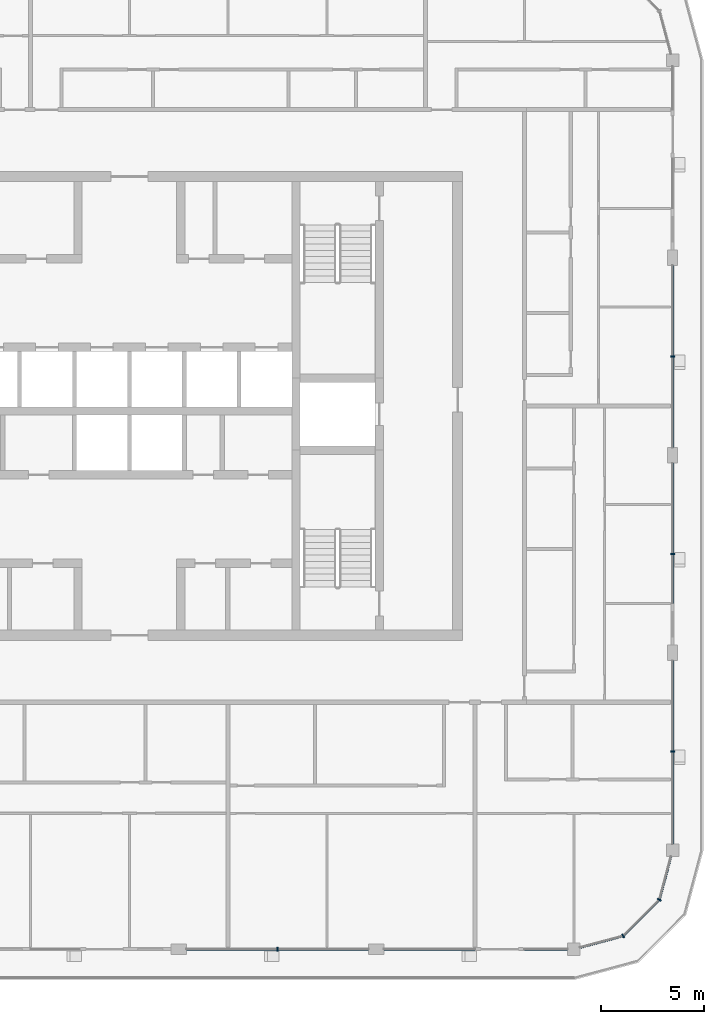
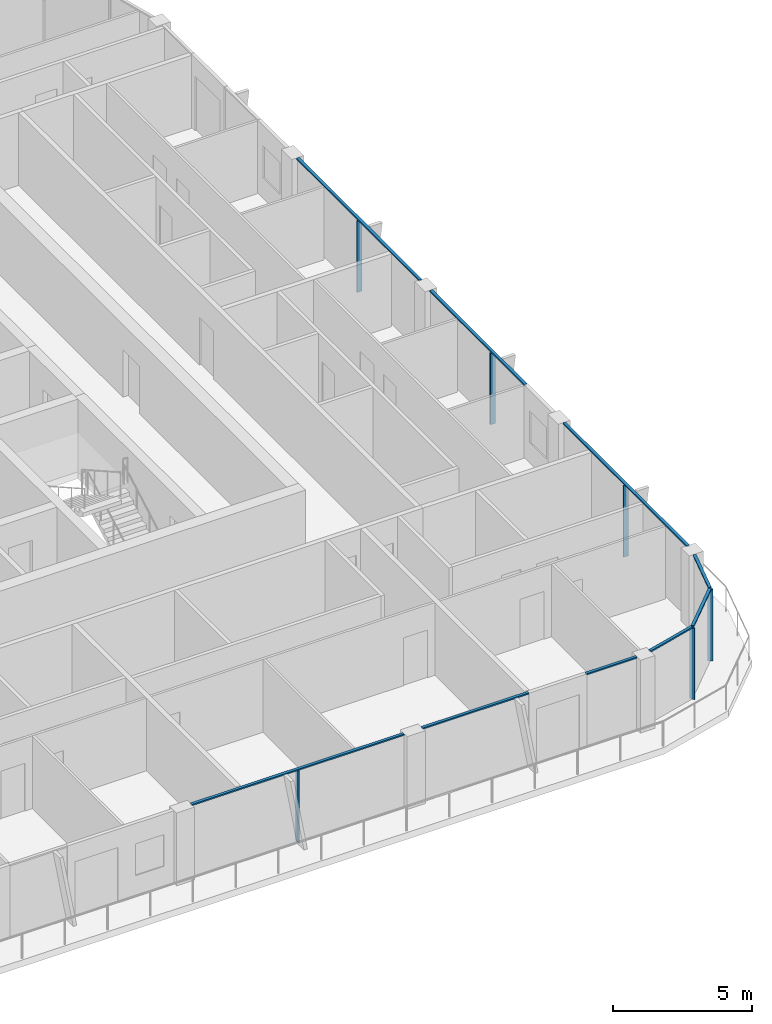
# One storey, part 4 of 22: 15 members, 6 elements without a shape of their own.
"""IFC4 building model written with IfcOpenShell, lengths in metres."""

from ifc_helpers import new_model, si_unit, direction, frame, origin, origin_2d, place, context, subcontext, project, spatial, rectangle, extrude, material, layer, layer_set, material_profile, profile_set, type_object, element, aggregate, save


model = new_model("IFC4")

# Units and contexts
model_context = context("Model", 3, precision=1e-05, world=origin(), true_north=direction((0.0, 1.0)))
body_context = subcontext(model_context, "Body", "Model", "MODEL_VIEW")
ifc_project = project(units=[si_unit("LENGTHUNIT", "METRE"), si_unit("AREAUNIT", "SQUARE_METRE"), si_unit("VOLUMEUNIT", "CUBIC_METRE"), si_unit("PLANEANGLEUNIT", "RADIAN"), si_unit("MASSUNIT", "GRAM", prefix="KILO")], contexts=[model_context])

# Site, building, storey
site_placement = place(None, origin())
site = spatial("IfcSite", under=ifc_project, at=site_placement, CompositionType="ELEMENT")
building_placement = place(site_placement, origin())
building = spatial("IfcBuilding", under=site, at=building_placement, Name="Madar Terraces", CompositionType="ELEMENT")
storey_placement = place(building_placement, frame((0.0, 0.0, 279.10009765625)))
storey = spatial("IfcBuildingStorey", under=building, at=storey_placement, Name="L73", CompositionType="ELEMENT", Elevation=279.10009765625)

# Curtain wall, member
ifc_material_1 = material(Name="Glass, ceramic frit dark grey, with black aluminium frame", Category="aluminium")
ifc_layer = layer(ifc_material_1, 0.199951171875)
ifc_layer_set = layer_set([ifc_layer], Name="Facade curtain wall, fritted glass")
curtain_wall_type = type_object("IfcCurtainWallType", Name="Facade curtain wall, fritted glass", PredefinedType="NOTDEFINED", material=ifc_layer_set)
curtain_wall_1_placement = place(storey_placement, origin())
curtain_wall_1 = element("IfcCurtainWall", 1, at=curtain_wall_1_placement, inside=storey, type_object=curtain_wall_type, Name="Outer skin curtain wall south bay 4", PredefinedType="NOTDEFINED")
ifc_material_2 = material(Name="Aluminium, black anodised", Category="aluminium")
ifc_material_profile_1 = material_profile(ifc_material_2, rectangle(XDim=0.199951171875, YDim=0.06005859375, at=origin_2d()), Name="Facade mullion 60x200")
ifc_profile_set_1 = profile_set([ifc_material_profile_1], Name="Aluminium, black anodised")
member_type_1 = type_object("IfcMemberType", Name="Facade mullion 60x200", PredefinedType="MULLION", material=ifc_profile_set_1)
member_1_placement = place(storey_placement, frame((38.39990234375, 0.0, 0.0), z_axis=(0.0, 0.0, 1.0), x_axis=(0.0, 1.0, 0.0)))
member_1 = element("IfcMember", 2, at=member_1_placement, type_object=member_type_1, Name="Mullion 1", PredefinedType="MULLION", context=body_context, shape_type="SweptSolid", body=[
    extrude(rectangle(XDim=0.199951171875, YDim=0.06005859375, at=origin_2d()), origin(), (0.0, 0.0, 1.0), 3.139892578125),
])

curtain_wall_2_placement = place(storey_placement, origin())
curtain_wall_2 = element("IfcCurtainWall", 3, at=curtain_wall_2_placement, inside=storey, type_object=curtain_wall_type, Name="Outer skin curtain wall east bay 1", PredefinedType="NOTDEFINED")
member_2_placement = place(storey_placement, frame((57.60009765625, 9.60009765625, 0.0), z_axis=(0.0, 0.0, 1.0), x_axis=(-1.0, 0.0, 0.0)))
member_2 = element("IfcMember", 4, at=member_2_placement, type_object=member_type_1, Name="Mullion 1", PredefinedType="MULLION", context=body_context, shape_type="SweptSolid", body=[
    extrude(rectangle(XDim=0.199951171875, YDim=0.06005859375, at=origin_2d()), origin(), (0.0, 0.0, 1.0), 3.139892578125),
])

curtain_wall_3_placement = place(storey_placement, origin())
curtain_wall_3 = element("IfcCurtainWall", 5, at=curtain_wall_3_placement, inside=storey, type_object=curtain_wall_type, Name="Outer skin curtain wall east bay 2", PredefinedType="NOTDEFINED")
member_3_placement = place(storey_placement, frame((57.60009765625, 19.199951171875, 0.0), z_axis=(0.0, 0.0, 1.0), x_axis=(-1.0, 0.0, 0.0)))
member_3 = element("IfcMember", 6, at=member_3_placement, type_object=member_type_1, Name="Mullion 1", PredefinedType="MULLION", context=body_context, shape_type="SweptSolid", body=[
    extrude(rectangle(XDim=0.199951171875, YDim=0.06005859375, at=origin_2d()), origin(), (0.0, 0.0, 1.0), 3.139892578125),
])

curtain_wall_4_placement = place(storey_placement, origin())
curtain_wall_4 = element("IfcCurtainWall", 7, at=curtain_wall_4_placement, inside=storey, type_object=curtain_wall_type, Name="Outer skin curtain wall east bay 3", PredefinedType="NOTDEFINED")
member_4_placement = place(storey_placement, frame((57.60009765625, 28.800048828125, 0.0), z_axis=(0.0, 0.0, 1.0), x_axis=(-1.0, 0.0, 0.0)))
member_4 = element("IfcMember", 8, at=member_4_placement, type_object=member_type_1, Name="Mullion 1", PredefinedType="MULLION", context=body_context, shape_type="SweptSolid", body=[
    extrude(rectangle(XDim=0.199951171875, YDim=0.06005859375, at=origin_2d()), origin(), (0.0, 0.0, 1.0), 3.139892578125),
])

# Curtain wall, members
curtain_wall_5_placement = place(storey_placement, origin())
curtain_wall_5 = element("IfcCurtainWall", 9, at=curtain_wall_5_placement, inside=storey, type_object=curtain_wall_type, Name="Outer skin curtain wall south-east corner", PredefinedType="NOTDEFINED")
member_5_placement = place(storey_placement, frame((55.199951171875, 0.64306640625, 0.0), z_axis=(0.0, 0.0, 1.0), x_axis=(-0.499999989586, 0.866025409797, 0.0)))
member_5 = element("IfcMember", 10, at=member_5_placement, type_object=member_type_1, Name="Mullion 1", PredefinedType="MULLION", context=body_context, shape_type="SweptSolid", body=[
    extrude(rectangle(XDim=0.199951171875, YDim=0.06005859375, at=origin_2d()), origin(), (0.0, 0.0, 1.0), 3.139892578125),
])
member_6_placement = place(storey_placement, frame((56.95703125, 2.39990234375, 0.0), z_axis=(0.0, 0.0, 1.0), x_axis=(-0.866025409797, 0.499999989586, 0.0)))
member_6 = element("IfcMember", 11, at=member_6_placement, type_object=member_type_1, Name="Mullion 2", PredefinedType="MULLION", context=body_context, shape_type="SweptSolid", body=[
    extrude(rectangle(XDim=0.199951171875, YDim=0.06005859375, at=origin_2d()), origin(), (0.0, 0.0, 1.0), 3.139892578125),
])

# Member
ifc_material_3 = material(Name="Aluminium, black anodised", Category="aluminium")
ifc_material_profile_2 = material_profile(ifc_material_3, rectangle(XDim=0.1201171875, YDim=0.06005859375, at=origin_2d()), Name="Facade transom 60x120")
ifc_profile_set_2 = profile_set([ifc_material_profile_2], Name="Aluminium, black anodised")
member_type_2 = type_object("IfcMemberType", Name="Facade transom 60x120", PredefinedType="USERDEFINED", material=ifc_profile_set_2)
member_7_placement = place(storey_placement, frame((33.97509765625, 0.0, 3.169921875), z_axis=(1.0, 0.0, 0.0), x_axis=(0.0, 1.0, 0.0)))
member_7 = element("IfcMember", 12, at=member_7_placement, type_object=member_type_2, Name="Transom 1", ObjectType="TRANSOM", PredefinedType="USERDEFINED", context=body_context, shape_type="SweptSolid", body=[
    extrude(rectangle(XDim=0.1201171875, YDim=0.06005859375, at=origin_2d()), origin(), (0.0, 0.0, 1.0), 8.849853515625),
])

aggregate(curtain_wall_1, [member_1, member_7])

# Curtain wall, members
curtain_wall_6_placement = place(storey_placement, origin())
curtain_wall_6 = element("IfcCurtainWall", 13, at=curtain_wall_6_placement, inside=storey, type_object=curtain_wall_type, Name="Outer skin curtain wall south bay 5", PredefinedType="NOTDEFINED")
member_8_placement = place(storey_placement, frame((43.574951171875, 0.0, 3.169921875), z_axis=(1.0, 0.0, 0.0), x_axis=(0.0, 1.0, 0.0)))
member_8 = element("IfcMember", 14, at=member_8_placement, type_object=member_type_2, Name="Transom 1", ObjectType="TRANSOM", PredefinedType="USERDEFINED", context=body_context, shape_type="SweptSolid", body=[
    extrude(rectangle(XDim=0.1201171875, YDim=0.06005859375, at=origin_2d()), origin(), (0.0, 0.0, 1.0), 4.425048828125),
])
member_9_placement = place(storey_placement, frame((50.39990234375, 0.0, 3.169921875), z_axis=(1.0, 0.0, 0.0), x_axis=(0.0, 1.0, 0.0)))
member_9 = element("IfcMember", 15, at=member_9_placement, type_object=member_type_2, Name="Transom 2", ObjectType="TRANSOM", PredefinedType="USERDEFINED", context=body_context, shape_type="SweptSolid", body=[
    extrude(rectangle(XDim=0.1201171875, YDim=0.06005859375, at=origin_2d()), origin(), (0.0, 0.0, 1.0), 2.10009765625),
])
aggregate(curtain_wall_6, [member_8, member_9])

# Member
member_10_placement = place(storey_placement, frame((57.60009765625, 5.10009765625, 3.169921875), z_axis=(0.0, 1.0, 0.0), x_axis=(-1.0, 0.0, 0.0)))
member_10 = element("IfcMember", 16, at=member_10_placement, type_object=member_type_2, Name="Transom 1", ObjectType="TRANSOM", PredefinedType="USERDEFINED", context=body_context, shape_type="SweptSolid", body=[
    extrude(rectangle(XDim=0.1201171875, YDim=0.06005859375, at=origin_2d()), origin(), (0.0, 0.0, 1.0), 8.9248046875),
])

aggregate(curtain_wall_2, [member_2, member_10])

member_11_placement = place(storey_placement, frame((57.60009765625, 16.800048828125, 3.169921875), z_axis=(0.0, 1.0, 0.0), x_axis=(-1.0, 0.0, 0.0)))
member_11 = element("IfcMember", 17, at=member_11_placement, type_object=member_type_2, Name="Transom 1", ObjectType="TRANSOM", PredefinedType="USERDEFINED", context=body_context, shape_type="SweptSolid", body=[
    extrude(rectangle(XDim=0.1201171875, YDim=0.06005859375, at=origin_2d()), origin(), (0.0, 0.0, 1.0), 6.824951171875),
])

aggregate(curtain_wall_3, [member_3, member_11])

member_12_placement = place(storey_placement, frame((57.60009765625, 24.375, 3.169921875), z_axis=(0.0, 1.0, 0.0), x_axis=(-1.0, 0.0, 0.0)))
member_12 = element("IfcMember", 18, at=member_12_placement, type_object=member_type_2, Name="Transom 1", ObjectType="TRANSOM", PredefinedType="USERDEFINED", context=body_context, shape_type="SweptSolid", body=[
    extrude(rectangle(XDim=0.1201171875, YDim=0.06005859375, at=origin_2d()), origin(), (0.0, 0.0, 1.0), 8.85009765625),
])

aggregate(curtain_wall_4, [member_4, member_12])

member_13_placement = place(storey_placement, frame((53.10009765625, 0.080322265625, 3.169921875), z_axis=(0.965926196336, 0.258817664066, 0.0), x_axis=(-0.258817664066, 0.965926196336, 0.0)))
member_13 = element("IfcMember", 19, at=member_13_placement, type_object=member_type_2, Name="Transom 1", ObjectType="TRANSOM", PredefinedType="USERDEFINED", context=body_context, shape_type="SweptSolid", body=[
    extrude(rectangle(XDim=0.1201171875, YDim=0.06005859375, at=origin_2d()), origin(), (0.0, 0.0, 1.0), 2.14404296875),
])

member_14_placement = place(storey_placement, frame((55.22119140625, 0.664306640625, 3.169921875), z_axis=(0.707106781187, 0.707106781187, 0.0), x_axis=(-0.707106781187, 0.707106781187, 0.0)))
member_14 = element("IfcMember", 20, at=member_14_placement, type_object=member_type_2, Name="Transom 2", ObjectType="TRANSOM", PredefinedType="USERDEFINED", context=body_context, shape_type="SweptSolid", body=[
    extrude(rectangle(XDim=0.1201171875, YDim=0.06005859375, at=origin_2d()), origin(), (0.0, 0.0, 1.0), 2.4248046875),
])

member_15_placement = place(storey_placement, frame((56.964599609375, 2.428955078125, 3.169921875), z_axis=(0.258817664066, 0.965926196336, 0.0), x_axis=(-0.965926196336, 0.258817664066, 0.0)))
member_15 = element("IfcMember", 21, at=member_15_placement, type_object=member_type_2, Name="Transom 3", ObjectType="TRANSOM", PredefinedType="USERDEFINED", context=body_context, shape_type="SweptSolid", body=[
    extrude(rectangle(XDim=0.1201171875, YDim=0.06005859375, at=origin_2d()), origin(), (0.0, 0.0, 1.0), 2.14404296875),
])

aggregate(curtain_wall_5, [member_5, member_13, member_6, member_14, member_15])

save(model, "model.ifc")
